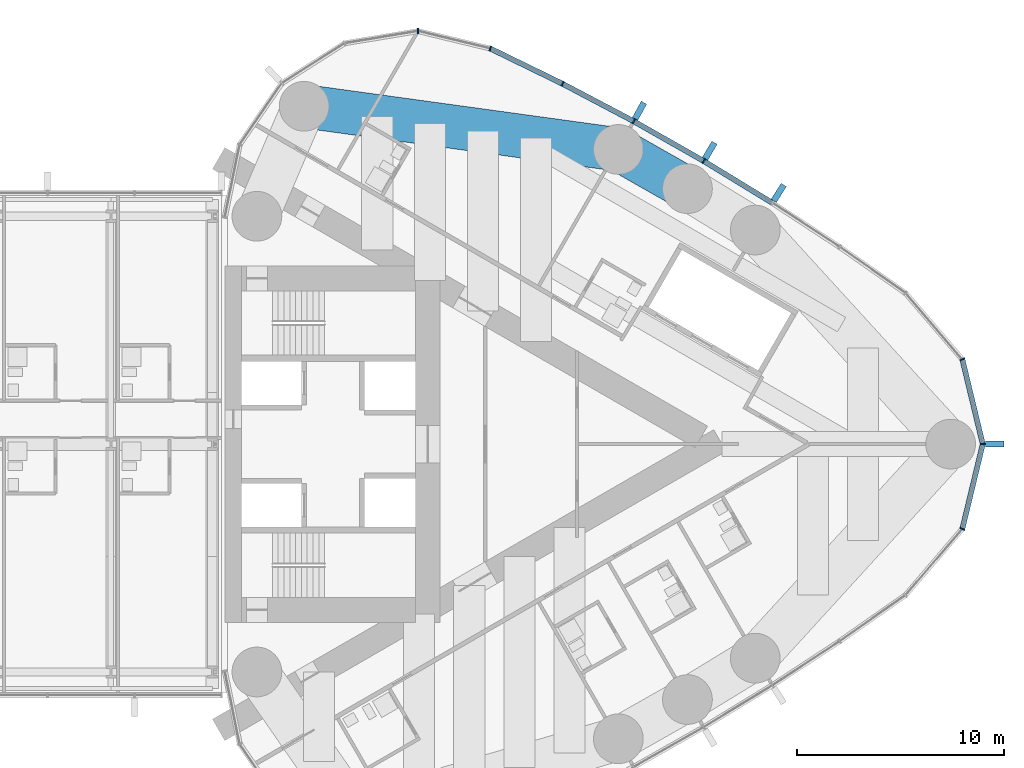
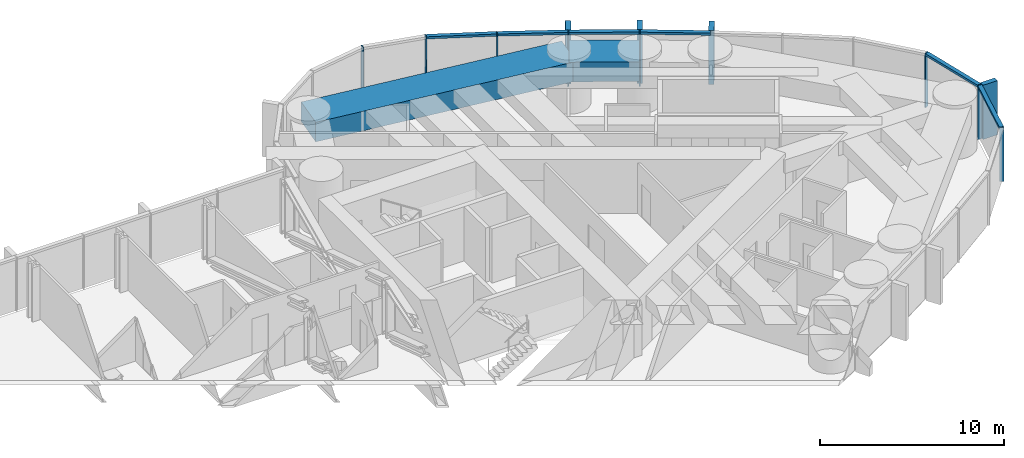
# One storey, part 11 of 23: 18 members, 2 beams, 1 element without a shape of its own.
"""IFC4 building model written with IfcOpenShell, lengths in metres."""

from ifc_helpers import new_model, si_unit, direction, frame, origin, origin_2d, place, context, subcontext, project, spatial, rectangle, extrude, material, material_profile, profile_set, type_object, element, aggregate, save


model = new_model("IFC4")

# Units and contexts
model_context = context("Model", 3, precision=1e-05, world=origin(), true_north=direction((0.0, 1.0)))
body_context = subcontext(model_context, "Body", "Model", "MODEL_VIEW")
ifc_project = project(units=[si_unit("LENGTHUNIT", "METRE"), si_unit("AREAUNIT", "SQUARE_METRE"), si_unit("VOLUMEUNIT", "CUBIC_METRE"), si_unit("PLANEANGLEUNIT", "RADIAN"), si_unit("MASSUNIT", "GRAM", prefix="KILO")], contexts=[model_context])

# Site, building, storey
site_placement = place(None, origin())
site = spatial("IfcSite", under=ifc_project, at=site_placement, CompositionType="ELEMENT")
building_placement = place(site_placement, origin())
building = spatial("IfcBuilding", under=site, at=building_placement, Name="Lancet Gate Hotel", CompositionType="ELEMENT")
storey_placement = place(building_placement, frame((0.0, 0.0, 222.5)))
storey = spatial("IfcBuildingStorey", under=building, at=storey_placement, Name="L59", CompositionType="ELEMENT", Elevation=222.5)

# Curtain wall, members
ifc_material_1 = material(Name="Aluminium curtain wall", Category="aluminium")
curtain_wall_type = type_object("IfcCurtainWallType", Name="Tower unitised curtain wall", PredefinedType="USERDEFINED", material=ifc_material_1)
curtain_wall_placement = place(storey_placement, origin())
curtain_wall = element("IfcCurtainWall", 1, at=curtain_wall_placement, inside=storey, type_object=curtain_wall_type, Name="T2 L59 curtain wall 1", ObjectType="UNITISED CURTAIN WALL", PredefinedType="USERDEFINED")
ifc_material_2 = material(Name="Aluminium mullion", Category="aluminium")
ifc_material_profile_1 = material_profile(ifc_material_2, rectangle(XDim=0.06494140625, YDim=0.25, at=origin_2d()), Name="MULLION 65x250")
ifc_profile_set_1 = profile_set([ifc_material_profile_1], Name="Aluminium mullion")
member_type_1 = type_object("IfcMemberType", Name="Aluminium mullion 65x250", PredefinedType="MULLION", material=ifc_profile_set_1)
member_1_placement = place(storey_placement, frame((63.1064453125, -4.09375, 0.0), z_axis=(0.0, 0.0, 1.0), x_axis=(0.454852851296, 0.890566608215, 0.0)))
member_1 = element("IfcMember", 2, at=member_1_placement, type_object=member_type_1, Name="T2 L59 curtain wall 1 mullion 13", PredefinedType="MULLION", context=body_context, shape_type="SweptSolid", body=[
    extrude(rectangle(XDim=0.06494140625, YDim=0.25, at=origin_2d()), origin(), (0.0, 0.0, 1.0), 3.60009765625),
])
member_2_placement = place(storey_placement, frame((64.09130859375, 0.0, 0.0), z_axis=(0.0, 0.0, 1.0), x_axis=(0.0, 1.0, 0.0)))
member_2 = element("IfcMember", 3, at=member_2_placement, type_object=member_type_1, Name="T2 L59 curtain wall 1 mullion 14", PredefinedType="MULLION", context=body_context, shape_type="SweptSolid", body=[
    extrude(rectangle(XDim=0.06494140625, YDim=0.25, at=origin_2d()), origin(), (0.0, 0.0, 1.0), 3.60009765625),
])
member_3_placement = place(storey_placement, frame((63.1064453125, 4.09375, 0.0), z_axis=(0.0, 0.0, 1.0), x_axis=(-0.454852851296, 0.890566608215, 0.0)))
member_3 = element("IfcMember", 4, at=member_3_placement, type_object=member_type_1, Name="T2 L59 curtain wall 1 mullion 15", PredefinedType="MULLION", context=body_context, shape_type="SweptSolid", body=[
    extrude(rectangle(XDim=0.06494140625, YDim=0.25, at=origin_2d()), origin(), (0.0, 0.0, 1.0), 3.60009765625),
])
member_4_placement = place(storey_placement, frame((50.62060546875, 13.667236328125, 0.0), z_axis=(0.0, 0.0, 1.0), x_axis=(-0.861691755738, 0.507432082247, 0.0)))
member_4 = element("IfcMember", 5, at=member_4_placement, type_object=member_type_1, Name="T2 L59 curtain wall 1 mullion 19", PredefinedType="MULLION", context=body_context, shape_type="SweptSolid", body=[
    extrude(rectangle(XDim=0.06494140625, YDim=0.25, at=origin_2d()), origin(), (0.0, 0.0, 1.0), 3.60009765625),
])
member_5_placement = place(storey_placement, frame((47.24365234375, 15.585205078125, 0.0), z_axis=(0.0, 0.0, 1.0), x_axis=(-0.877194589488, 0.480135035352, 0.0)))
member_5 = element("IfcMember", 6, at=member_5_placement, type_object=member_type_1, Name="T2 L59 curtain wall 1 mullion 20", PredefinedType="MULLION", context=body_context, shape_type="SweptSolid", body=[
    extrude(rectangle(XDim=0.06494140625, YDim=0.25, at=origin_2d()), origin(), (0.0, 0.0, 1.0), 3.60009765625),
])
member_6_placement = place(storey_placement, frame((43.80810546875, 17.396240234375, 0.0), z_axis=(0.0, 0.0, 1.0), x_axis=(-0.891832977257, 0.452364831389, 0.0)))
member_6 = element("IfcMember", 7, at=member_6_placement, type_object=member_type_1, Name="T2 L59 curtain wall 1 mullion 21", PredefinedType="MULLION", context=body_context, shape_type="SweptSolid", body=[
    extrude(rectangle(XDim=0.06494140625, YDim=0.25, at=origin_2d()), origin(), (0.0, 0.0, 1.0), 3.60009765625),
])
member_7_placement = place(storey_placement, frame((40.3173828125, 19.098388671875, 0.0), z_axis=(0.0, 0.0, 1.0), x_axis=(-0.939483740419, 0.342593493061, 0.0)))
member_7 = element("IfcMember", 8, at=member_7_placement, type_object=member_type_1, Name="T2 L59 curtain wall 1 mullion 22", PredefinedType="MULLION", context=body_context, shape_type="SweptSolid", body=[
    extrude(rectangle(XDim=0.06494140625, YDim=0.25, at=origin_2d()), origin(), (0.0, 0.0, 1.0), 3.60009765625),
])
member_8_placement = place(storey_placement, frame((36.826171875, 19.942138671875, 0.0), z_axis=(0.0, 0.0, 1.0), x_axis=(-0.999342744911, 0.03625021647, 0.0)))
member_8 = element("IfcMember", 9, at=member_8_placement, type_object=member_type_1, Name="T2 L59 curtain wall 1 mullion 23", PredefinedType="MULLION", context=body_context, shape_type="SweptSolid", body=[
    extrude(rectangle(XDim=0.06494140625, YDim=0.25, at=origin_2d()), origin(), (0.0, 0.0, 1.0), 3.60009765625),
])
ifc_material_3 = material(Name="Aluminium transom", Category="aluminium")
ifc_material_profile_2 = material_profile(ifc_material_3, rectangle(XDim=0.25, YDim=0.14990234375, at=origin_2d()), Name="TRANSOM 250x150")
ifc_profile_set_2 = profile_set([ifc_material_profile_2], Name="Aluminium transom")
member_type_2 = type_object("IfcMemberType", Name="Aluminium transom 250x150", PredefinedType="USERDEFINED", material=ifc_profile_set_2)
member_9_placement = place(storey_placement, frame((63.114013671875, -4.06201171875, 3.52490234375), z_axis=(0.233920855872, 0.972255641891, 0.0), x_axis=(-0.972255641891, 0.233920855872, 0.0)))
member_9 = element("IfcMember", 10, at=member_9_placement, type_object=member_type_2, Name="T2 L59 curtain wall 1 transom 13", ObjectType="TRANSOM", PredefinedType="USERDEFINED", context=body_context, shape_type="SweptSolid", body=[
    extrude(rectangle(XDim=0.25, YDim=0.14990234375, at=origin_2d()), origin(), (0.0, 0.0, 1.0), 4.1455078125),
])
member_10_placement = place(storey_placement, frame((64.083740234375, 0.031494140625, 3.52490234375), z_axis=(-0.233920855872, 0.972255641891, 0.0), x_axis=(-0.972255641891, -0.233920855872, 0.0)))
member_10 = element("IfcMember", 11, at=member_10_placement, type_object=member_type_2, Name="T2 L59 curtain wall 1 transom 14", ObjectType="TRANSOM", PredefinedType="USERDEFINED", context=body_context, shape_type="SweptSolid", body=[
    extrude(rectangle(XDim=0.25, YDim=0.14990234375, at=origin_2d()), origin(), (0.0, 0.0, 1.0), 4.1455078125),
])
member_11_placement = place(storey_placement, frame((53.907958984375, 11.661376953125, 3.52490234375), z_axis=(-0.853638798527, 0.520865435261, 0.0), x_axis=(-0.520865435261, -0.853638798527, 0.0)))
member_11 = element("IfcMember", 12, at=member_11_placement, type_object=member_type_2, Name="T2 L59 curtain wall 1 transom 18", ObjectType="TRANSOM", PredefinedType="USERDEFINED", context=body_context, shape_type="SweptSolid", body=[
    extrude(rectangle(XDim=0.25, YDim=0.14990234375, at=origin_2d()), origin(), (0.0, 0.0, 1.0), 3.818603515625),
])
member_12_placement = place(storey_placement, frame((50.59228515625, 13.683349609375, 3.52490234375), z_axis=(-0.869562011924, 0.493823761496, 0.0), x_axis=(-0.493823761496, -0.869562011924, 0.0)))
member_12 = element("IfcMember", 13, at=member_12_placement, type_object=member_type_2, Name="T2 L59 curtain wall 1 transom 19", ObjectType="TRANSOM", PredefinedType="USERDEFINED", context=body_context, shape_type="SweptSolid", body=[
    extrude(rectangle(XDim=0.25, YDim=0.14990234375, at=origin_2d()), origin(), (0.0, 0.0, 1.0), 3.818603515625),
])
member_13_placement = place(storey_placement, frame((47.21484375, 15.600341796875, 3.52490234375), z_axis=(-0.884618491031, 0.466315478325, 0.0), x_axis=(-0.466315478325, -0.884618491031, 0.0)))
member_13 = element("IfcMember", 14, at=member_13_placement, type_object=member_type_2, Name="T2 L59 curtain wall 1 transom 20", ObjectType="TRANSOM", PredefinedType="USERDEFINED", context=body_context, shape_type="SweptSolid", body=[
    extrude(rectangle(XDim=0.25, YDim=0.14990234375, at=origin_2d()), origin(), (0.0, 0.0, 1.0), 3.81884765625),
])
member_14_placement = place(storey_placement, frame((43.77880859375, 17.410400390625, 3.52490234375), z_axis=(-0.898820051991, 0.438317823206, 0.0), x_axis=(-0.438317823206, -0.898820051991, 0.0)))
member_14 = element("IfcMember", 15, at=member_14_placement, type_object=member_type_2, Name="T2 L59 curtain wall 1 transom 21", ObjectType="TRANSOM", PredefinedType="USERDEFINED", context=body_context, shape_type="SweptSolid", body=[
    extrude(rectangle(XDim=0.25, YDim=0.14990234375, at=origin_2d()), origin(), (0.0, 0.0, 1.0), 3.81884765625),
])

# Beams
ifc_material_4 = material(Name="Concrete C50/60", Category="concrete")
ifc_material_profile_3 = material_profile(ifc_material_4, rectangle(XDim=2.10009765625, YDim=1.300048828125, at=origin_2d()), Name="RC 2100x1300")
ifc_profile_set_3 = profile_set([ifc_material_profile_3], Name="Concrete C50/60")
beam_type = type_object("IfcBeamType", Name="Edge beam RC 2100x1300", PredefinedType="SPANDREL", material=ifc_profile_set_3)
beam_1_placement = place(storey_placement, frame((49.833984375, 12.331787109375, 2.699951171875), z_axis=(-0.869560321562, 0.493826738001, 0.0), x_axis=(-0.493826738001, -0.869560321562, 0.0)))
element("IfcBeam", 16, at=beam_1_placement, inside=storey, type_object=beam_type, Name="T2 edge beam EB1 L59", PredefinedType="SPANDREL", context=body_context, shape_type="SweptSolid", body=[
    extrude(rectangle(XDim=2.10009765625, YDim=1.300048828125, at=origin_2d()), origin(), (0.0, 0.0, 1.0), 3.8349609375),
])
beam_2_placement = place(storey_placement, frame((46.499267578125, 14.2255859375, 2.699951171875), z_axis=(-0.990685830783, 0.13616748762, 0.0), x_axis=(-0.13616748762, -0.990685830783, 0.0)))
element("IfcBeam", 17, at=beam_2_placement, inside=storey, type_object=beam_type, Name="T2 edge beam EB1 L59", PredefinedType="SPANDREL", context=body_context, shape_type="SweptSolid", body=[
    extrude(rectangle(XDim=2.10009765625, YDim=1.300048828125, at=origin_2d()), origin(), (0.0, 0.0, 1.0), 15.3134765625),
])

# Member
ifc_material_5 = material(Name="Precast concrete C50/60", Category="concrete")
ifc_material_profile_4 = material_profile(ifc_material_5, rectangle(XDim=0.300048828125, YDim=0.89990234375, at=origin_2d()), Name="FIN 300x900")
ifc_profile_set_4 = profile_set([ifc_material_profile_4], Name="Precast concrete C50/60")
member_type_3 = type_object("IfcMemberType", Name="Exposed concrete fin 300x900", PredefinedType="USERDEFINED", material=ifc_profile_set_4)
member_15_placement = place(storey_placement, frame((64.66650390625, 0.0, 0.0), z_axis=(0.0, 0.0, 1.0), x_axis=(0.0, 1.0, 0.0)))
member_15 = element("IfcMember", 18, at=member_15_placement, type_object=member_type_3, Name="T2 L59 curtain wall 1 fin 14", ObjectType="FIN", PredefinedType="USERDEFINED", context=body_context, shape_type="SweptSolid", body=[
    extrude(rectangle(XDim=0.300048828125, YDim=0.89990234375, at=origin_2d()), origin(), (0.0, 0.0, 1.0), 3.60009765625),
])

member_16_placement = place(storey_placement, frame((54.242919921875, 12.13037109375, 0.0), z_axis=(0.0, 0.0, 1.0), x_axis=(-0.845339753513, 0.534229071777, 0.0)))
member_16 = element("IfcMember", 19, at=member_16_placement, type_object=member_type_3, Name="T2 L59 curtain wall 1 fin 18", ObjectType="FIN", PredefinedType="USERDEFINED", context=body_context, shape_type="SweptSolid", body=[
    extrude(rectangle(XDim=0.300048828125, YDim=0.89990234375, at=origin_2d()), origin(), (0.0, 0.0, 1.0), 3.60009765625),
])

member_17_placement = place(storey_placement, frame((50.912353515625, 14.162841796875, 0.0), z_axis=(0.0, 0.0, 1.0), x_axis=(-0.861691755738, 0.507432082247, 0.0)))
member_17 = element("IfcMember", 20, at=member_17_placement, type_object=member_type_3, Name="T2 L59 curtain wall 1 fin 19", ObjectType="FIN", PredefinedType="USERDEFINED", context=body_context, shape_type="SweptSolid", body=[
    extrude(rectangle(XDim=0.300048828125, YDim=0.89990234375, at=origin_2d()), origin(), (0.0, 0.0, 1.0), 3.60009765625),
])

member_18_placement = place(storey_placement, frame((47.51953125, 16.089599609375, 0.0), z_axis=(0.0, 0.0, 1.0), x_axis=(-0.877194589488, 0.480135035352, 0.0)))
member_18 = element("IfcMember", 21, at=member_18_placement, type_object=member_type_3, Name="T2 L59 curtain wall 1 fin 20", ObjectType="FIN", PredefinedType="USERDEFINED", context=body_context, shape_type="SweptSolid", body=[
    extrude(rectangle(XDim=0.300048828125, YDim=0.89990234375, at=origin_2d()), origin(), (0.0, 0.0, 1.0), 3.60009765625),
])

aggregate(curtain_wall, [member_1, member_2, member_15, member_3, member_16, member_4, member_17, member_5, member_18, member_6, member_7, member_8, member_9, member_10, member_11, member_12, member_13, member_14])

save(model, "model.ifc")
